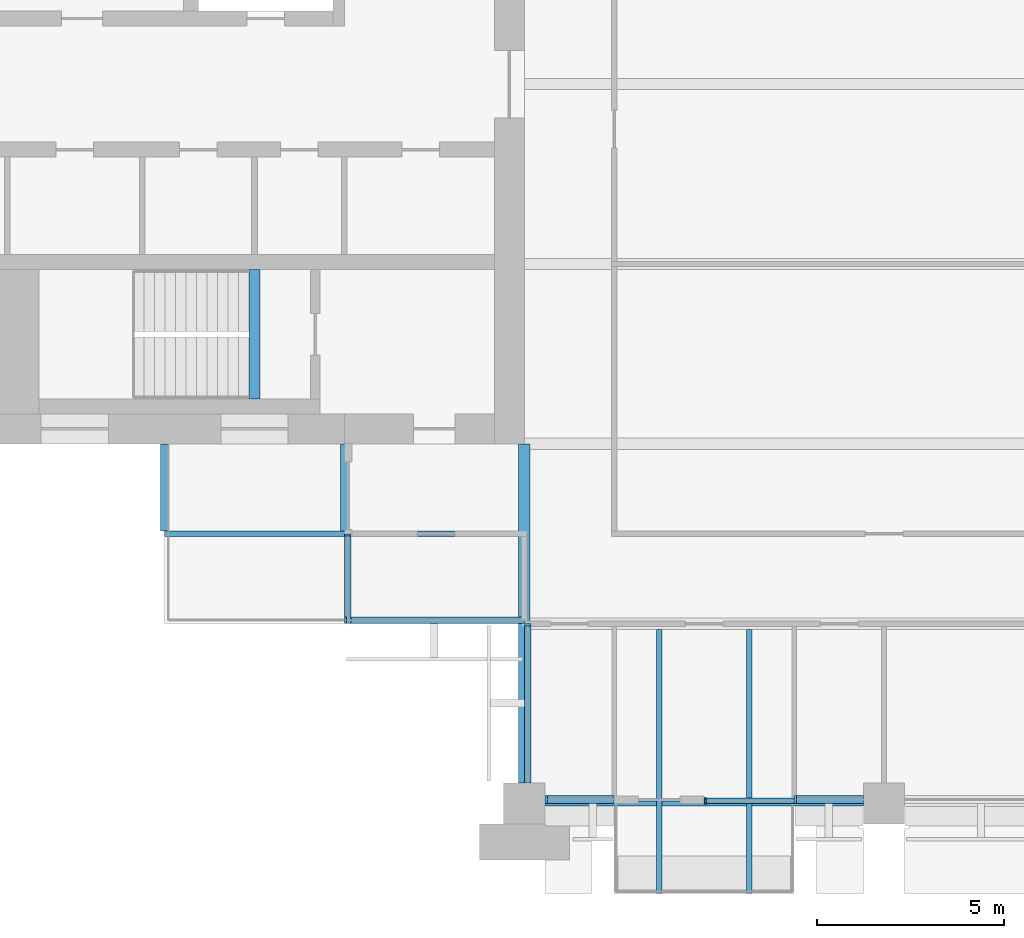
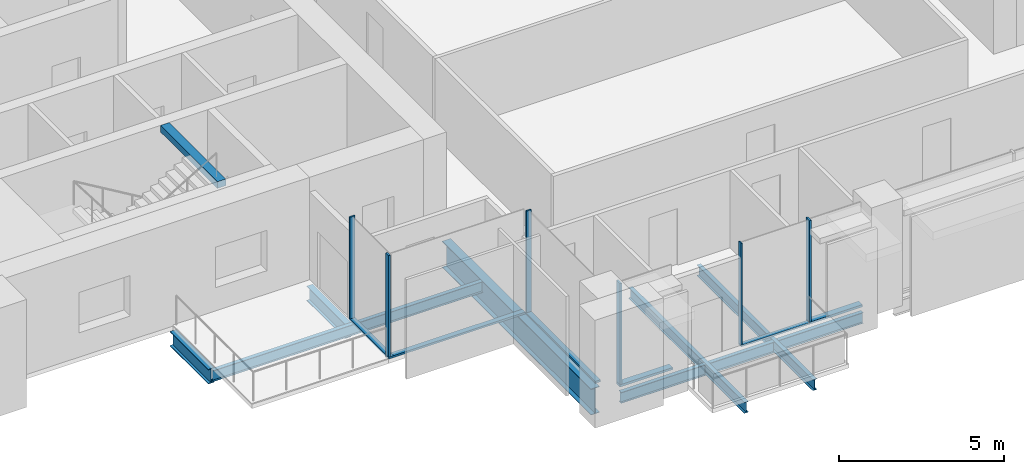
# One storey, part 2 of 14: 12 members, 10 beams, 6 elements without a shape of their own.
"""IFC4 building model written with IfcOpenShell, lengths in metres."""

from ifc_helpers import new_model, si_unit, direction, frame, origin, origin_2d, place, context, subcontext, project, spatial, rectangle, i_section, extrude, material, material_profile, profile_set, type_object, element, aggregate, save


model = new_model("IFC4")

# Units and contexts
model_context = context("Model", 3, precision=1e-05, world=origin(), true_north=direction((0.0, 1.0)))
body_context = subcontext(model_context, "Body", "Model", "MODEL_VIEW")
ifc_project = project(units=[si_unit("LENGTHUNIT", "METRE"), si_unit("AREAUNIT", "SQUARE_METRE"), si_unit("VOLUMEUNIT", "CUBIC_METRE"), si_unit("PLANEANGLEUNIT", "RADIAN"), si_unit("MASSUNIT", "GRAM", prefix="KILO")], contexts=[model_context])

# Site, building, storey
site_placement = place(None, origin())
site = spatial("IfcSite", under=ifc_project, at=site_placement, CompositionType="ELEMENT")
building_placement = place(site_placement, origin())
building = spatial("IfcBuilding", under=site, at=building_placement, Name="Baori Bourse Tower", CompositionType="ELEMENT")
storey_placement = place(building_placement, frame((0.0, 0.0, 209.199951171875)))
storey = spatial("IfcBuildingStorey", under=building, at=storey_placement, Name="L45", CompositionType="ELEMENT", Elevation=209.199951171875)

# Beams
ifc_material_1 = material(Name="Steel A992 Gr 50", Category="steel")
ifc_material_profile_1 = material_profile(ifc_material_1, i_section(OverallWidth=0.140380859375, OverallDepth=0.40380859375, WebThickness=0.007080078125, FlangeThickness=0.01123046875, at=origin_2d()), Name="W16x31")
ifc_profile_set_1 = profile_set([ifc_material_profile_1], Name="Steel A992 Gr 50")
beam_type_1 = type_object("IfcBeamType", Name="Balcony beam W16x31", PredefinedType="BEAM", material=ifc_profile_set_1)
for number, where, z_axis, x_axis, name in (
    (1, (22.800048828125, -2.39990234375, -0.36181640625), (0.0, 1.0, 0.0), (-1.0, 0.0, 0.0), "Balcony beam L45"),
    (2, (25.199951171875, -2.39990234375, -0.36181640625), (0.0, 1.0, 0.0), (-1.0, 0.0, 0.0), "Balcony beam L45"),
):
    element("IfcBeam", number, at=place(storey_placement, frame(where, z_axis=z_axis, x_axis=x_axis)), inside=storey, type_object=beam_type_1, Name=name, PredefinedType="BEAM", context=body_context, shape_type="SweptSolid", body=[
        extrude(i_section(OverallWidth=0.140380859375, OverallDepth=0.40380859375, WebThickness=0.007080078125, FlangeThickness=0.01123046875, at=origin_2d()), origin(), (0.0, 0.0, 1.0), 7.050048828125),
    ])

# Curtain wall, member
ifc_material_2 = material(Name="Pale anodised aluminium", Category="aluminium")
curtain_wall_type_1 = type_object("IfcCurtainWallType", Name="CW2 Curtain wall", PredefinedType="NOTDEFINED", material=ifc_material_2)
curtain_wall_1_placement = place(storey_placement, origin())
curtain_wall_1 = element("IfcCurtainWall", 3, at=curtain_wall_1_placement, inside=storey, type_object=curtain_wall_type_1, Name="Curtain wall CW2 L45 10", PredefinedType="NOTDEFINED")
ifc_material_3 = material(Name="Pale anodised aluminium", Category="aluminium")
ifc_material_profile_2 = material_profile(ifc_material_3, rectangle(XDim=0.179931640625, YDim=0.054931640625, at=origin_2d()), Name="Mullion 55x180")
ifc_profile_set_2 = profile_set([ifc_material_profile_2], Name="Pale anodised aluminium")
member_type_1 = type_object("IfcMemberType", Name="CW2 Curtain wall mullion", PredefinedType="MULLION", material=ifc_profile_set_2)
member_1_placement = place(storey_placement, frame((14.489990234375, 7.172607421875, 0.070068359375), z_axis=(0.0, 0.0, 1.0), x_axis=(1.0, 0.0, 0.0)))
member_1 = element("IfcMember", 4, at=member_1_placement, type_object=member_type_1, Name="Curtain wall CW2 mullion", PredefinedType="MULLION", context=body_context, shape_type="SweptSolid", body=[
    extrude(rectangle(XDim=0.179931640625, YDim=0.054931640625, at=origin_2d()), origin(), (0.0, 0.0, 1.0), 3.77001953125),
])

curtain_wall_2_placement = place(storey_placement, origin())
curtain_wall_2 = element("IfcCurtainWall", 5, at=curtain_wall_2_placement, inside=storey, type_object=curtain_wall_type_1, Name="Curtain wall CW2 L45 11", PredefinedType="NOTDEFINED")
member_2_placement = place(storey_placement, frame((14.427490234375, 4.889892578125, 0.070068359375), z_axis=(0.0, 0.0, 1.0), x_axis=(0.0, 1.0, 0.0)))
member_2 = element("IfcMember", 6, at=member_2_placement, type_object=member_type_1, Name="Curtain wall CW2 mullion", PredefinedType="MULLION", context=body_context, shape_type="SweptSolid", body=[
    extrude(rectangle(XDim=0.179931640625, YDim=0.054931640625, at=origin_2d()), origin(), (0.0, 0.0, 1.0), 3.77001953125),
])

curtain_wall_3_placement = place(storey_placement, origin())
curtain_wall_3 = element("IfcCurtainWall", 7, at=curtain_wall_3_placement, inside=storey, type_object=curtain_wall_type_1, Name="Curtain wall CW2 L45 12", PredefinedType="NOTDEFINED")
member_3_placement = place(storey_placement, frame((19.2900390625, 4.7724609375, 0.070068359375), z_axis=(0.0, 0.0, 1.0), x_axis=(1.0, 0.0, 0.0)))
member_3 = element("IfcMember", 8, at=member_3_placement, type_object=member_type_1, Name="Curtain wall CW2 mullion", PredefinedType="MULLION", context=body_context, shape_type="SweptSolid", body=[
    extrude(rectangle(XDim=0.179931640625, YDim=0.054931640625, at=origin_2d()), origin(), (0.0, 0.0, 1.0), 3.77001953125),
])

# Member
ifc_material_4 = material(Name="Pale anodised aluminium", Category="aluminium")
ifc_material_profile_3 = material_profile(ifc_material_4, rectangle(XDim=0.179931640625, YDim=0.070068359375, at=origin_2d()), Name="Transom 70x180")
ifc_profile_set_3 = profile_set([ifc_material_profile_3], Name="Pale anodised aluminium")
member_type_2 = type_object("IfcMemberType", Name="CW2 Curtain wall transom", PredefinedType="USERDEFINED", material=ifc_profile_set_3)
member_4_placement = place(storey_placement, frame((14.489990234375, 7.199951171875, 0.03515625), z_axis=(0.0, -1.0, 0.0), x_axis=(1.0, 0.0, 0.0)))
member_4 = element("IfcMember", 9, at=member_4_placement, type_object=member_type_2, Name="Curtain wall CW2 sill rail", ObjectType="TRANSOM", PredefinedType="USERDEFINED", context=body_context, shape_type="SweptSolid", body=[
    extrude(rectangle(XDim=0.179931640625, YDim=0.070068359375, at=origin_2d()), origin(), (0.0, 0.0, 1.0), 2.39990234375),
])

aggregate(curtain_wall_1, [member_4, member_1])

member_5_placement = place(storey_placement, frame((14.39990234375, 4.889892578125, 0.03515625), z_axis=(1.0, 0.0, 0.0), x_axis=(0.0, 1.0, 0.0)))
member_5 = element("IfcMember", 10, at=member_5_placement, type_object=member_type_2, Name="Curtain wall CW2 sill rail", ObjectType="TRANSOM", PredefinedType="USERDEFINED", context=body_context, shape_type="SweptSolid", body=[
    extrude(rectangle(XDim=0.179931640625, YDim=0.070068359375, at=origin_2d()), origin(), (0.0, 0.0, 1.0), 4.800048828125),
])

aggregate(curtain_wall_2, [member_5, member_2])

member_6_placement = place(storey_placement, frame((19.2900390625, 4.800048828125, 0.03515625), z_axis=(0.0, -1.0, 0.0), x_axis=(1.0, 0.0, 0.0)))
member_6 = element("IfcMember", 11, at=member_6_placement, type_object=member_type_2, Name="Curtain wall CW2 sill rail", ObjectType="TRANSOM", PredefinedType="USERDEFINED", context=body_context, shape_type="SweptSolid", body=[
    extrude(rectangle(XDim=0.179931640625, YDim=0.070068359375, at=origin_2d()), origin(), (0.0, 0.0, 1.0), 4.25),
])

aggregate(curtain_wall_3, [member_6, member_3])

# Curtain wall, member
ifc_material_5 = material(Name="Pale anodised aluminium", Category="aluminium")
curtain_wall_type_2 = type_object("IfcCurtainWallType", Name="CW5 Curtain wall", PredefinedType="NOTDEFINED", material=ifc_material_5)
curtain_wall_4_placement = place(storey_placement, origin())
curtain_wall_4 = element("IfcCurtainWall", 12, at=curtain_wall_4_placement, inside=storey, type_object=curtain_wall_type_2, Name="Curtain wall CW5 L45 13", PredefinedType="NOTDEFINED")
ifc_material_6 = material(Name="Pale anodised aluminium", Category="aluminium")
ifc_material_profile_4 = material_profile(ifc_material_6, rectangle(XDim=0.219970703125, YDim=0.06494140625, at=origin_2d()), Name="Mullion 65x220")
ifc_profile_set_4 = profile_set([ifc_material_profile_4], Name="Pale anodised aluminium")
member_type_3 = type_object("IfcMemberType", Name="CW5 Curtain wall mullion", PredefinedType="MULLION", material=ifc_profile_set_4)
member_7_placement = place(storey_placement, frame((19.782470703125, 0.110107421875, 0.0849609375), z_axis=(0.0, 0.0, 1.0), x_axis=(0.0, 1.0, 0.0)))
member_7 = element("IfcMember", 13, at=member_7_placement, type_object=member_type_3, Name="Curtain wall CW5 mullion", PredefinedType="MULLION", context=body_context, shape_type="SweptSolid", body=[
    extrude(rectangle(XDim=0.219970703125, YDim=0.06494140625, at=origin_2d()), origin(), (0.0, 0.0, 1.0), 3.755126953125),
])

curtain_wall_5_placement = place(storey_placement, origin())
curtain_wall_5 = element("IfcCurtainWall", 14, at=curtain_wall_5_placement, inside=storey, type_object=curtain_wall_type_2, Name="Curtain wall CW5 L45 15", PredefinedType="NOTDEFINED")
member_8_placement = place(storey_placement, frame((26.4326171875, 0.110107421875, 0.0849609375), z_axis=(0.0, 0.0, 1.0), x_axis=(0.0, 1.0, 0.0)))
member_8 = element("IfcMember", 15, at=member_8_placement, type_object=member_type_3, Name="Curtain wall CW5 mullion", PredefinedType="MULLION", context=body_context, shape_type="SweptSolid", body=[
    extrude(rectangle(XDim=0.219970703125, YDim=0.06494140625, at=origin_2d()), origin(), (0.0, 0.0, 1.0), 3.755126953125),
])

# Member
ifc_material_7 = material(Name="Pale anodised aluminium", Category="aluminium")
ifc_material_profile_5 = material_profile(ifc_material_7, rectangle(XDim=0.219970703125, YDim=0.0849609375, at=origin_2d()), Name="Transom 85x220")
ifc_profile_set_5 = profile_set([ifc_material_profile_5], Name="Pale anodised aluminium")
member_type_4 = type_object("IfcMemberType", Name="CW5 Curtain wall transom", PredefinedType="USERDEFINED", material=ifc_profile_set_5)
member_9_placement = place(storey_placement, frame((19.75, 0.110107421875, 0.04248046875), z_axis=(1.0, 0.0, 0.0), x_axis=(0.0, 1.0, 0.0)))
member_9 = element("IfcMember", 16, at=member_9_placement, type_object=member_type_4, Name="Curtain wall CW5 sill rail", ObjectType="TRANSOM", PredefinedType="USERDEFINED", context=body_context, shape_type="SweptSolid", body=[
    extrude(rectangle(XDim=0.219970703125, YDim=0.0849609375, at=origin_2d()), origin(), (0.0, 0.0, 1.0), 1.85009765625),
])

aggregate(curtain_wall_4, [member_9, member_7])

member_10_placement = place(storey_placement, frame((26.39990234375, 0.110107421875, 0.04248046875), z_axis=(1.0, 0.0, 0.0), x_axis=(0.0, 1.0, 0.0)))
member_10 = element("IfcMember", 17, at=member_10_placement, type_object=member_type_4, Name="Curtain wall CW5 sill rail", ObjectType="TRANSOM", PredefinedType="USERDEFINED", context=body_context, shape_type="SweptSolid", body=[
    extrude(rectangle(XDim=0.219970703125, YDim=0.0849609375, at=origin_2d()), origin(), (0.0, 0.0, 1.0), 1.85009765625),
])

aggregate(curtain_wall_5, [member_10, member_8])

# Curtain wall, members
ifc_material_8 = material(Name="Pale anodised aluminium", Category="aluminium")
curtain_wall_type_3 = type_object("IfcCurtainWallType", Name="CW6 Curtain wall", PredefinedType="NOTDEFINED", material=ifc_material_8)
curtain_wall_6_placement = place(storey_placement, origin())
curtain_wall_6 = element("IfcCurtainWall", 18, at=curtain_wall_6_placement, inside=storey, type_object=curtain_wall_type_3, Name="Curtain wall CW6 L45 14", PredefinedType="NOTDEFINED")
ifc_material_9 = material(Name="Pale anodised aluminium", Category="aluminium")
ifc_material_profile_6 = material_profile(ifc_material_9, rectangle(XDim=0.14990234375, YDim=0.050048828125, at=origin_2d()), Name="Mullion 50x150")
ifc_profile_set_6 = profile_set([ifc_material_profile_6], Name="Pale anodised aluminium")
member_type_5 = type_object("IfcMemberType", Name="CW6 Curtain wall mullion", PredefinedType="MULLION", material=ifc_profile_set_6)
member_11_placement = place(storey_placement, frame((24.02490234375, 0.074951171875, 0.06494140625), z_axis=(0.0, 0.0, 1.0), x_axis=(0.0, 1.0, 0.0)))
member_11 = element("IfcMember", 19, at=member_11_placement, type_object=member_type_5, Name="Curtain wall CW6 mullion", PredefinedType="MULLION", context=body_context, shape_type="SweptSolid", body=[
    extrude(rectangle(XDim=0.14990234375, YDim=0.050048828125, at=origin_2d()), origin(), (0.0, 0.0, 1.0), 3.775146484375),
])
ifc_material_10 = material(Name="Pale anodised aluminium", Category="aluminium")
ifc_material_profile_7 = material_profile(ifc_material_10, rectangle(XDim=0.14990234375, YDim=0.06494140625, at=origin_2d()), Name="Transom 65x150")
ifc_profile_set_7 = profile_set([ifc_material_profile_7], Name="Pale anodised aluminium")
member_type_6 = type_object("IfcMemberType", Name="CW6 Curtain wall transom", PredefinedType="USERDEFINED", material=ifc_profile_set_7)
member_12_placement = place(storey_placement, frame((24.0, 0.074951171875, 0.032470703125), z_axis=(1.0, 0.0, 0.0), x_axis=(0.0, 1.0, 0.0)))
member_12 = element("IfcMember", 20, at=member_12_placement, type_object=member_type_6, Name="Curtain wall CW6 sill rail", ObjectType="TRANSOM", PredefinedType="USERDEFINED", context=body_context, shape_type="SweptSolid", body=[
    extrude(rectangle(XDim=0.14990234375, YDim=0.06494140625, at=origin_2d()), origin(), (0.0, 0.0, 1.0), 2.39990234375),
])
aggregate(curtain_wall_6, [member_12, member_11])

# Beams
ifc_material_11 = material(Name="Steel A992 Gr 50", Category="steel")
ifc_material_profile_8 = material_profile(ifc_material_11, i_section(OverallWidth=0.21240234375, OverallDepth=0.54345703125, WebThickness=0.01318359375, FlangeThickness=0.021240234375, at=origin_2d()), Name="W21x83")
ifc_profile_set_8 = profile_set([ifc_material_profile_8], Name="Steel A992 Gr 50")
beam_type_2 = type_object("IfcBeamType", Name="Core bracket W21x83", PredefinedType="BEAM", material=ifc_profile_set_8)
for number, where, z_axis, x_axis, name in (
    (21, (9.60009765625, 7.270263671875, -0.431640625), (0.0, 1.0, 0.0), (-1.0, 0.0, 0.0), "Core bracket L45"),
    (22, (14.39990234375, 7.270263671875, -0.431640625), (0.0, 1.0, 0.0), (-1.0, 0.0, 0.0), "Core bracket L45"),
):
    element("IfcBeam", number, at=place(storey_placement, frame(where, z_axis=z_axis, x_axis=x_axis)), inside=storey, type_object=beam_type_2, Name=name, PredefinedType="BEAM", context=body_context, shape_type="SweptSolid", body=[
        extrude(i_section(OverallWidth=0.21240234375, OverallDepth=0.54345703125, WebThickness=0.01318359375, FlangeThickness=0.021240234375, at=origin_2d()), origin(), (0.0, 0.0, 1.0), 2.329833984375),
    ])
ifc_material_12 = material(Name="Steel A992 Gr 50", Category="steel")
ifc_material_profile_9 = material_profile(ifc_material_12, i_section(OverallWidth=0.140380859375, OverallDepth=0.40380859375, WebThickness=0.007080078125, FlangeThickness=0.01123046875, at=origin_2d()), Name="W16x31")
ifc_profile_set_9 = profile_set([ifc_material_profile_9], Name="Steel A992 Gr 50")
beam_type_3 = type_object("IfcBeamType", Name="Edge beam W16x31", PredefinedType="BEAM", material=ifc_profile_set_9)
beam_1_placement = place(storey_placement, frame((19.75, 0.0, -0.36181640625), z_axis=(1.0, 0.0, 0.0), x_axis=(0.0, 1.0, 0.0)))
element("IfcBeam", 23, at=beam_1_placement, inside=storey, type_object=beam_type_3, Name="Edge beam L45", PredefinedType="BEAM", context=body_context, shape_type="SweptSolid", body=[
    extrude(i_section(OverallWidth=0.140380859375, OverallDepth=0.40380859375, WebThickness=0.007080078125, FlangeThickness=0.01123046875, at=origin_2d()), origin(), (0.0, 0.0, 1.0), 2.979736328125),
])
beam_2_placement = place(storey_placement, frame((22.8701171875, 0.0, -0.36181640625), z_axis=(1.0, 0.0, 0.0), x_axis=(0.0, 1.0, 0.0)))
element("IfcBeam", 24, at=beam_2_placement, inside=storey, type_object=beam_type_3, Name="Edge beam L45", PredefinedType="BEAM", context=body_context, shape_type="SweptSolid", body=[
    extrude(i_section(OverallWidth=0.140380859375, OverallDepth=0.40380859375, WebThickness=0.007080078125, FlangeThickness=0.01123046875, at=origin_2d()), origin(), (0.0, 0.0, 1.0), 2.259765625),
])
beam_3_placement = place(storey_placement, frame((25.270263671875, 0.0, -0.36181640625), z_axis=(1.0, 0.0, 0.0), x_axis=(0.0, 1.0, 0.0)))
element("IfcBeam", 25, at=beam_3_placement, inside=storey, type_object=beam_type_3, Name="Edge beam L45", PredefinedType="BEAM", context=body_context, shape_type="SweptSolid", body=[
    extrude(i_section(OverallWidth=0.140380859375, OverallDepth=0.40380859375, WebThickness=0.007080078125, FlangeThickness=0.01123046875, at=origin_2d()), origin(), (0.0, 0.0, 1.0), 2.979736328125),
])
ifc_material_13 = material(Name="Steel A992 Gr 50", Category="steel")
ifc_material_profile_10 = material_profile(ifc_material_13, i_section(OverallWidth=0.2998046875, OverallDepth=0.97021484375, WebThickness=0.01611328125, FlangeThickness=0.02099609375, at=origin_2d()), Name="W40x149")
ifc_profile_set_10 = profile_set([ifc_material_profile_10], Name="Steel A992 Gr 50")
beam_type_4 = type_object("IfcBeamType", Name="Girder W40x149", PredefinedType="BEAM", material=ifc_profile_set_10)
beam_4_placement = place(storey_placement, frame((19.199951171875, 0.550048828125, -0.64501953125), z_axis=(0.0, 1.0, 0.0), x_axis=(-1.0, 0.0, 0.0)))
element("IfcBeam", 26, at=beam_4_placement, inside=storey, type_object=beam_type_4, Name="Girder L45", PredefinedType="BEAM", context=body_context, shape_type="SweptSolid", body=[
    extrude(i_section(OverallWidth=0.2998046875, OverallDepth=0.97021484375, WebThickness=0.01611328125, FlangeThickness=0.02099609375, at=origin_2d()), origin(), (0.0, 0.0, 1.0), 9.050048828125),
])
ifc_material_14 = material(Name="Concrete f'c 50 MPa", Category="concrete")
ifc_material_profile_11 = material_profile(ifc_material_14, rectangle(XDim=0.300048828125, YDim=0.25, at=origin_2d()), Name="RC 300x250")
ifc_profile_set_11 = profile_set([ifc_material_profile_11], Name="Concrete f'c 50 MPa")
beam_type_5 = type_object("IfcBeamType", Name="Stair nib beam RC 300x250", PredefinedType="BEAM", material=ifc_profile_set_11)
beam_5_placement = place(storey_placement, frame((12.0, 10.800048828125, 3.715087890625), z_axis=(0.0, 1.0, 0.0), x_axis=(-1.0, 0.0, 0.0)))
element("IfcBeam", 27, at=beam_5_placement, inside=storey, type_object=beam_type_5, Name="Stair WA nib beam L46", PredefinedType="BEAM", context=body_context, shape_type="SweptSolid", body=[
    extrude(rectangle(XDim=0.300048828125, YDim=0.25, at=origin_2d()), origin(), (0.0, 0.0, 1.0), 3.449951171875),
])
ifc_material_15 = material(Name="Steel A992 Gr 50", Category="steel")
ifc_material_profile_12 = material_profile(ifc_material_15, i_section(OverallWidth=0.140380859375, OverallDepth=0.40380859375, WebThickness=0.007080078125, FlangeThickness=0.01123046875, at=origin_2d()), Name="W16x31")
ifc_profile_set_12 = profile_set([ifc_material_profile_12], Name="Steel A992 Gr 50")
beam_type_6 = type_object("IfcBeamType", Name="Trimmer beam W16x31", PredefinedType="BEAM", material=ifc_profile_set_12)
beam_6_placement = place(storey_placement, frame((9.60009765625, 7.199951171875, -0.36181640625), z_axis=(1.0, 0.0, 0.0), x_axis=(0.0, 1.0, 0.0)))
element("IfcBeam", 28, at=beam_6_placement, inside=storey, type_object=beam_type_6, Name="Trimmer beam L45", PredefinedType="BEAM", context=body_context, shape_type="SweptSolid", body=[
    extrude(i_section(OverallWidth=0.140380859375, OverallDepth=0.40380859375, WebThickness=0.007080078125, FlangeThickness=0.01123046875, at=origin_2d()), origin(), (0.0, 0.0, 1.0), 9.449951171875),
])

save(model, "model.ifc")
